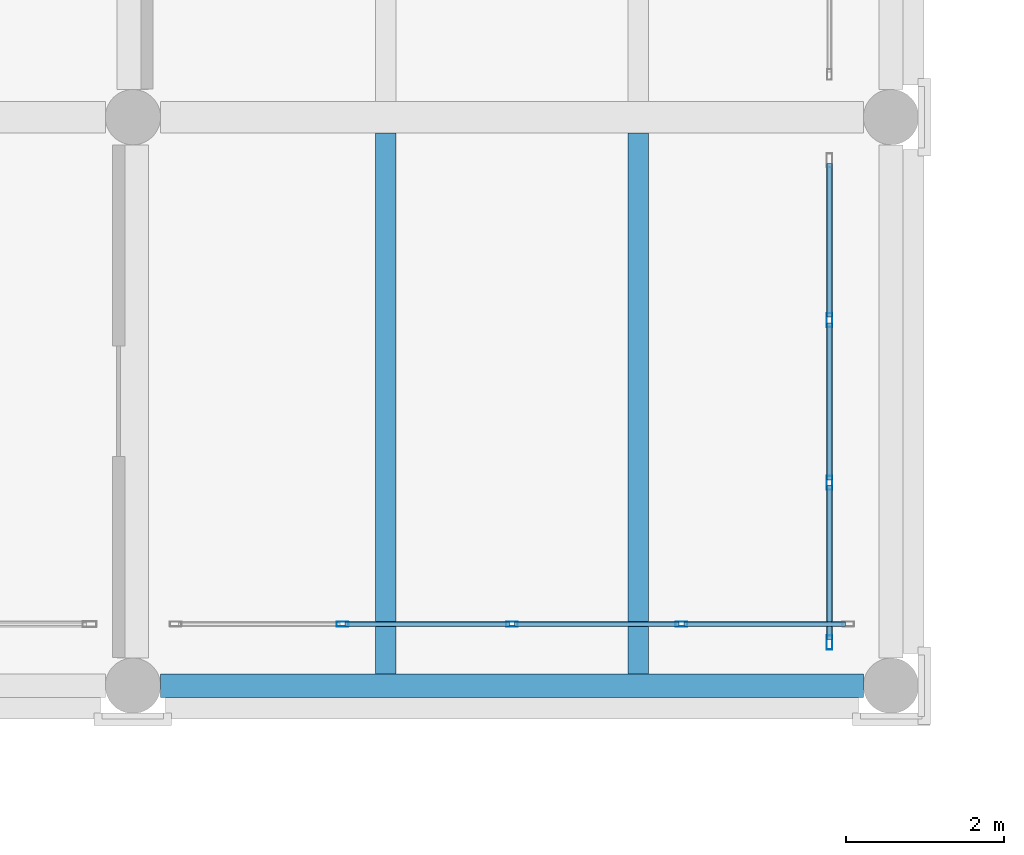
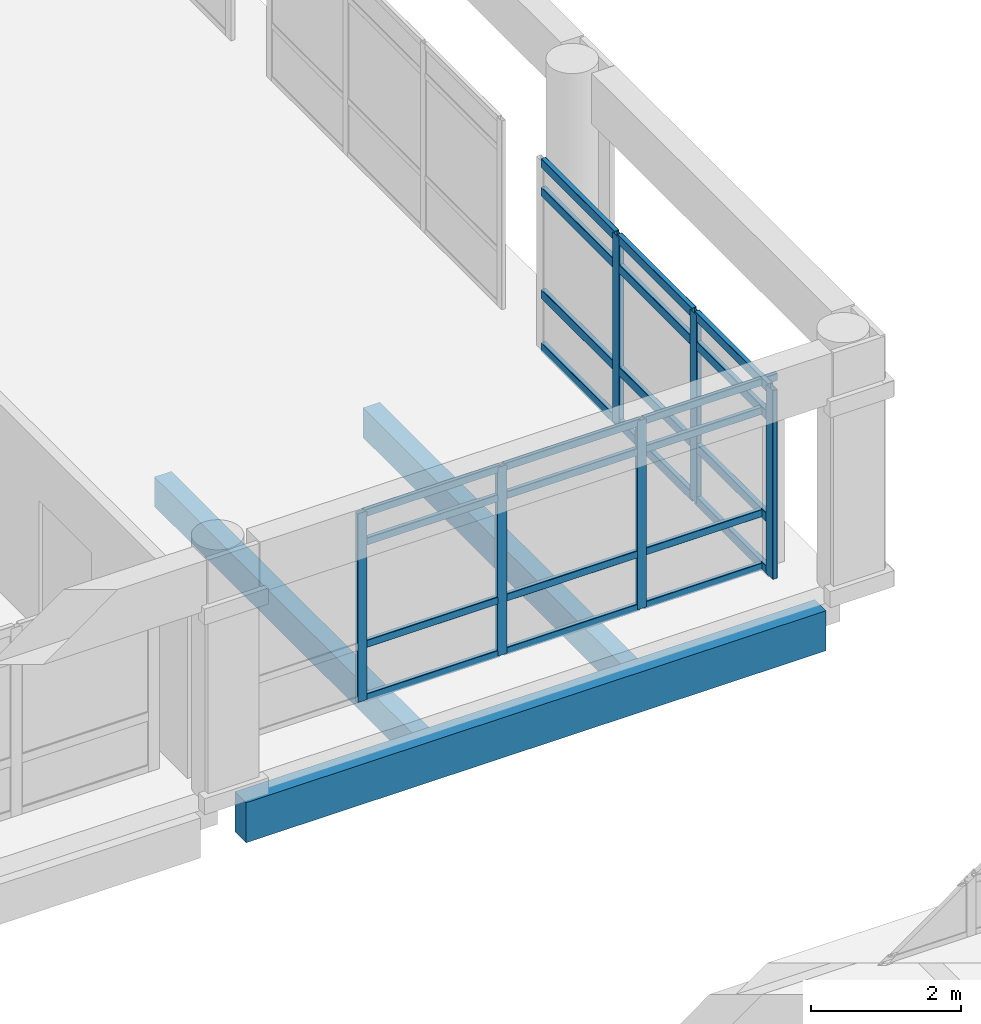
# One storey, part 46 of 180: 30 members, 3 beams, 2 elements without a shape of their own.
"""IFC4 building model written with IfcOpenShell, lengths in metres."""

from ifc_helpers import new_model, si_unit, direction, frame, origin, origin_2d, place, context, subcontext, project, spatial, rectangle, hollow_rectangle, extrude, material, layer, layer_set, material_profile, profile_set, type_object, element, aggregate, save


model = new_model("IFC4")

# Units and contexts
model_context = context("Model", 3, precision=1e-05, world=origin(), true_north=direction((0.0, 1.0)))
body_context = subcontext(model_context, "Body", "Model", "MODEL_VIEW")
ifc_project = project(units=[si_unit("LENGTHUNIT", "METRE"), si_unit("AREAUNIT", "SQUARE_METRE"), si_unit("VOLUMEUNIT", "CUBIC_METRE"), si_unit("PLANEANGLEUNIT", "RADIAN"), si_unit("MASSUNIT", "GRAM", prefix="KILO")], contexts=[model_context])

# Site, building, storey
site_placement = place(None, origin())
site = spatial("IfcSite", under=ifc_project, at=site_placement, CompositionType="ELEMENT")
building_placement = place(site_placement, origin())
building = spatial("IfcBuilding", under=site, at=building_placement, Name="Asteropetra Specialist Clinic", CompositionType="ELEMENT")
storey_placement = place(building_placement, frame((0.0, 0.0, 4.419921875)))
storey = spatial("IfcBuildingStorey", under=building, at=storey_placement, Name="L01", CompositionType="ELEMENT", Elevation=4.419921875)

# Curtain wall, members
ifc_material_1 = material(Name="Aluminium and low-E glass", Category="aluminium")
ifc_layer = layer(ifc_material_1, 0.14990234375)
ifc_layer_set = layer_set([ifc_layer], Name="Aluminium and low-E glass")
curtain_wall_type = type_object("IfcCurtainWallType", Name="CW-SYS-11", PredefinedType="USERDEFINED", material=ifc_layer_set)
curtain_wall_1_placement = place(storey_placement, origin())
curtain_wall_1 = element("IfcCurtainWall", 1, at=curtain_wall_1_placement, inside=storey, type_object=curtain_wall_type, Name="Curtain Wall CW-157", ObjectType="STICK GLAZED COLONNADE", PredefinedType="USERDEFINED")
ifc_material_2 = material(Name="Aluminium 6063-T6", Category="aluminium")
ifc_material_profile_1 = material_profile(ifc_material_2, hollow_rectangle(XDim=0.06494140625, YDim=0.14990234375, WallThickness=0.00390625, InnerFilletRadius=0.00390625, OuterFilletRadius=0.008056640625, at=origin_2d()), Name="MUL 150x65x4.0")
ifc_profile_set_1 = profile_set([ifc_material_profile_1], Name="Aluminium 6063-T6")
member_type_1 = type_object("IfcMemberType", Name="CWM-150x65", PredefinedType="MULLION", material=ifc_profile_set_1)
member_1_placement = place(storey_placement, frame((41.054931640625, 34.3798828125, 0.0), z_axis=(0.0, 0.0, 1.0), x_axis=(0.0, 1.0, 0.0)))
member_1 = element("IfcMember", 2, at=member_1_placement, type_object=member_type_1, Name="CW-157 mullion 2", PredefinedType="MULLION", context=body_context, shape_type="SweptSolid", body=[
    extrude(hollow_rectangle(XDim=0.06494140625, YDim=0.14990234375, WallThickness=0.00390625, InnerFilletRadius=0.00390625, OuterFilletRadius=0.008056640625, at=origin_2d()), origin(), (0.0, 0.0, 1.0), 3.06005859375),
])
member_2_placement = place(storey_placement, frame((43.199951171875, 34.3798828125, 0.0), z_axis=(0.0, 0.0, 1.0), x_axis=(0.0, 1.0, 0.0)))
member_2 = element("IfcMember", 3, at=member_2_placement, type_object=member_type_1, Name="CW-157 mullion 3", PredefinedType="MULLION", context=body_context, shape_type="SweptSolid", body=[
    extrude(hollow_rectangle(XDim=0.06494140625, YDim=0.14990234375, WallThickness=0.00390625, InnerFilletRadius=0.00390625, OuterFilletRadius=0.008056640625, at=origin_2d()), origin(), (0.0, 0.0, 1.0), 3.06005859375),
])
member_3_placement = place(storey_placement, frame((45.344970703125, 34.3798828125, 0.0), z_axis=(0.0, 0.0, 1.0), x_axis=(0.0, 1.0, 0.0)))
member_3 = element("IfcMember", 4, at=member_3_placement, type_object=member_type_1, Name="CW-157 mullion 4", PredefinedType="MULLION", context=body_context, shape_type="SweptSolid", body=[
    extrude(hollow_rectangle(XDim=0.06494140625, YDim=0.14990234375, WallThickness=0.00390625, InnerFilletRadius=0.00390625, OuterFilletRadius=0.008056640625, at=origin_2d()), origin(), (0.0, 0.0, 1.0), 3.06005859375),
])

curtain_wall_2_placement = place(storey_placement, origin())
curtain_wall_2 = element("IfcCurtainWall", 5, at=curtain_wall_2_placement, inside=storey, type_object=curtain_wall_type, Name="Curtain Wall CW-159", ObjectType="STICK GLAZED COLONNADE", PredefinedType="USERDEFINED")
ifc_material_3 = material(Name="Aluminium 6063-T6", Category="aluminium")
ifc_material_profile_2 = material_profile(ifc_material_3, hollow_rectangle(XDim=0.074951171875, YDim=0.179931640625, WallThickness=0.00390625, InnerFilletRadius=0.00390625, OuterFilletRadius=0.008056640625, at=origin_2d()), Name="MUL 180x75x4.0")
ifc_profile_set_2 = profile_set([ifc_material_profile_2], Name="Aluminium 6063-T6")
member_type_2 = type_object("IfcMemberType", Name="CWM-180x75", PredefinedType="MULLION", material=ifc_profile_set_2)
member_4_placement = place(storey_placement, frame((47.219970703125, 34.1474609375, 0.0), z_axis=(0.0, 0.0, 1.0), x_axis=(-1.0, 0.0, 0.0)))
member_4 = element("IfcMember", 6, at=member_4_placement, type_object=member_type_2, Name="CW-159 mullion 1", PredefinedType="MULLION", context=body_context, shape_type="SweptSolid", body=[
    extrude(hollow_rectangle(XDim=0.074951171875, YDim=0.179931640625, WallThickness=0.00390625, InnerFilletRadius=0.00390625, OuterFilletRadius=0.008056640625, at=origin_2d()), origin(), (0.0, 0.0, 1.0), 3.06005859375),
])
member_5_placement = place(storey_placement, frame((47.219970703125, 36.169921875, 0.0), z_axis=(0.0, 0.0, 1.0), x_axis=(-1.0, 0.0, 0.0)))
member_5 = element("IfcMember", 7, at=member_5_placement, type_object=member_type_2, Name="CW-159 mullion 2", PredefinedType="MULLION", context=body_context, shape_type="SweptSolid", body=[
    extrude(hollow_rectangle(XDim=0.074951171875, YDim=0.179931640625, WallThickness=0.00390625, InnerFilletRadius=0.00390625, OuterFilletRadius=0.008056640625, at=origin_2d()), origin(), (0.0, 0.0, 1.0), 3.06005859375),
])
member_6_placement = place(storey_placement, frame((47.219970703125, 38.22998046875, 0.0), z_axis=(0.0, 0.0, 1.0), x_axis=(-1.0, 0.0, 0.0)))
member_6 = element("IfcMember", 8, at=member_6_placement, type_object=member_type_2, Name="CW-159 mullion 3", PredefinedType="MULLION", context=body_context, shape_type="SweptSolid", body=[
    extrude(hollow_rectangle(XDim=0.074951171875, YDim=0.179931640625, WallThickness=0.00390625, InnerFilletRadius=0.00390625, OuterFilletRadius=0.008056640625, at=origin_2d()), origin(), (0.0, 0.0, 1.0), 3.06005859375),
])

# Member
ifc_material_4 = material(Name="Aluminium 6063-T6", Category="aluminium")
ifc_material_profile_3 = material_profile(ifc_material_4, hollow_rectangle(XDim=0.06494140625, YDim=0.1201171875, WallThickness=0.00390625, InnerFilletRadius=0.00390625, OuterFilletRadius=0.008056640625, at=origin_2d()), Name="TRN 120x65x4.0")
ifc_profile_set_3 = profile_set([ifc_material_profile_3], Name="Aluminium 6063-T6")
member_type_3 = type_object("IfcMemberType", Name="CWT-120x65", PredefinedType="USERDEFINED", material=ifc_profile_set_3)
member_7_placement = place(storey_placement, frame((41.08740234375, 34.3798828125, 0.032470703125), z_axis=(1.0, 0.0, 0.0), x_axis=(0.0, 1.0, 0.0)))
member_7 = element("IfcMember", 9, at=member_7_placement, type_object=member_type_3, Name="CW-157 transom 2.1", ObjectType="TRANSOM", PredefinedType="USERDEFINED", context=body_context, shape_type="SweptSolid", body=[
    extrude(hollow_rectangle(XDim=0.06494140625, YDim=0.1201171875, WallThickness=0.00390625, InnerFilletRadius=0.00390625, OuterFilletRadius=0.008056640625, at=origin_2d()), origin(), (0.0, 0.0, 1.0), 2.080078125),
])

member_8_placement = place(storey_placement, frame((41.08740234375, 34.3798828125, 0.900146484375), z_axis=(1.0, 0.0, 0.0), x_axis=(0.0, 1.0, 0.0)))
member_8 = element("IfcMember", 10, at=member_8_placement, type_object=member_type_3, Name="CW-157 transom 2.2", ObjectType="TRANSOM", PredefinedType="USERDEFINED", context=body_context, shape_type="SweptSolid", body=[
    extrude(hollow_rectangle(XDim=0.06494140625, YDim=0.1201171875, WallThickness=0.00390625, InnerFilletRadius=0.00390625, OuterFilletRadius=0.008056640625, at=origin_2d()), origin(), (0.0, 0.0, 1.0), 2.080078125),
])

member_9_placement = place(storey_placement, frame((41.08740234375, 34.3798828125, 2.56005859375), z_axis=(1.0, 0.0, 0.0), x_axis=(0.0, 1.0, 0.0)))
member_9 = element("IfcMember", 11, at=member_9_placement, type_object=member_type_3, Name="CW-157 transom 2.3", ObjectType="TRANSOM", PredefinedType="USERDEFINED", context=body_context, shape_type="SweptSolid", body=[
    extrude(hollow_rectangle(XDim=0.06494140625, YDim=0.1201171875, WallThickness=0.00390625, InnerFilletRadius=0.00390625, OuterFilletRadius=0.008056640625, at=origin_2d()), origin(), (0.0, 0.0, 1.0), 2.080078125),
])

member_10_placement = place(storey_placement, frame((41.08740234375, 34.3798828125, 3.027587890625), z_axis=(1.0, 0.0, 0.0), x_axis=(0.0, 1.0, 0.0)))
member_10 = element("IfcMember", 12, at=member_10_placement, type_object=member_type_3, Name="CW-157 transom 2.4", ObjectType="TRANSOM", PredefinedType="USERDEFINED", context=body_context, shape_type="SweptSolid", body=[
    extrude(hollow_rectangle(XDim=0.06494140625, YDim=0.1201171875, WallThickness=0.00390625, InnerFilletRadius=0.00390625, OuterFilletRadius=0.008056640625, at=origin_2d()), origin(), (0.0, 0.0, 1.0), 2.080078125),
])

member_11_placement = place(storey_placement, frame((43.232421875, 34.3798828125, 0.032470703125), z_axis=(1.0, 0.0, 0.0), x_axis=(0.0, 1.0, 0.0)))
member_11 = element("IfcMember", 13, at=member_11_placement, type_object=member_type_3, Name="CW-157 transom 3.1", ObjectType="TRANSOM", PredefinedType="USERDEFINED", context=body_context, shape_type="SweptSolid", body=[
    extrude(hollow_rectangle(XDim=0.06494140625, YDim=0.1201171875, WallThickness=0.00390625, InnerFilletRadius=0.00390625, OuterFilletRadius=0.008056640625, at=origin_2d()), origin(), (0.0, 0.0, 1.0), 2.080078125),
])

member_12_placement = place(storey_placement, frame((43.232421875, 34.3798828125, 0.900146484375), z_axis=(1.0, 0.0, 0.0), x_axis=(0.0, 1.0, 0.0)))
member_12 = element("IfcMember", 14, at=member_12_placement, type_object=member_type_3, Name="CW-157 transom 3.2", ObjectType="TRANSOM", PredefinedType="USERDEFINED", context=body_context, shape_type="SweptSolid", body=[
    extrude(hollow_rectangle(XDim=0.06494140625, YDim=0.1201171875, WallThickness=0.00390625, InnerFilletRadius=0.00390625, OuterFilletRadius=0.008056640625, at=origin_2d()), origin(), (0.0, 0.0, 1.0), 2.080078125),
])

member_13_placement = place(storey_placement, frame((43.232421875, 34.3798828125, 2.56005859375), z_axis=(1.0, 0.0, 0.0), x_axis=(0.0, 1.0, 0.0)))
member_13 = element("IfcMember", 15, at=member_13_placement, type_object=member_type_3, Name="CW-157 transom 3.3", ObjectType="TRANSOM", PredefinedType="USERDEFINED", context=body_context, shape_type="SweptSolid", body=[
    extrude(hollow_rectangle(XDim=0.06494140625, YDim=0.1201171875, WallThickness=0.00390625, InnerFilletRadius=0.00390625, OuterFilletRadius=0.008056640625, at=origin_2d()), origin(), (0.0, 0.0, 1.0), 2.080078125),
])

member_14_placement = place(storey_placement, frame((43.232421875, 34.3798828125, 3.027587890625), z_axis=(1.0, 0.0, 0.0), x_axis=(0.0, 1.0, 0.0)))
member_14 = element("IfcMember", 16, at=member_14_placement, type_object=member_type_3, Name="CW-157 transom 3.4", ObjectType="TRANSOM", PredefinedType="USERDEFINED", context=body_context, shape_type="SweptSolid", body=[
    extrude(hollow_rectangle(XDim=0.06494140625, YDim=0.1201171875, WallThickness=0.00390625, InnerFilletRadius=0.00390625, OuterFilletRadius=0.008056640625, at=origin_2d()), origin(), (0.0, 0.0, 1.0), 2.080078125),
])

member_15_placement = place(storey_placement, frame((45.37744140625, 34.3798828125, 0.032470703125), z_axis=(1.0, 0.0, 0.0), x_axis=(0.0, 1.0, 0.0)))
member_15 = element("IfcMember", 17, at=member_15_placement, type_object=member_type_3, Name="CW-157 transom 4.1", ObjectType="TRANSOM", PredefinedType="USERDEFINED", context=body_context, shape_type="SweptSolid", body=[
    extrude(hollow_rectangle(XDim=0.06494140625, YDim=0.1201171875, WallThickness=0.00390625, InnerFilletRadius=0.00390625, OuterFilletRadius=0.008056640625, at=origin_2d()), origin(), (0.0, 0.0, 1.0), 2.047607421875),
])

member_16_placement = place(storey_placement, frame((45.37744140625, 34.3798828125, 0.900146484375), z_axis=(1.0, 0.0, 0.0), x_axis=(0.0, 1.0, 0.0)))
member_16 = element("IfcMember", 18, at=member_16_placement, type_object=member_type_3, Name="CW-157 transom 4.2", ObjectType="TRANSOM", PredefinedType="USERDEFINED", context=body_context, shape_type="SweptSolid", body=[
    extrude(hollow_rectangle(XDim=0.06494140625, YDim=0.1201171875, WallThickness=0.00390625, InnerFilletRadius=0.00390625, OuterFilletRadius=0.008056640625, at=origin_2d()), origin(), (0.0, 0.0, 1.0), 2.047607421875),
])

member_17_placement = place(storey_placement, frame((45.37744140625, 34.3798828125, 2.56005859375), z_axis=(1.0, 0.0, 0.0), x_axis=(0.0, 1.0, 0.0)))
member_17 = element("IfcMember", 19, at=member_17_placement, type_object=member_type_3, Name="CW-157 transom 4.3", ObjectType="TRANSOM", PredefinedType="USERDEFINED", context=body_context, shape_type="SweptSolid", body=[
    extrude(hollow_rectangle(XDim=0.06494140625, YDim=0.1201171875, WallThickness=0.00390625, InnerFilletRadius=0.00390625, OuterFilletRadius=0.008056640625, at=origin_2d()), origin(), (0.0, 0.0, 1.0), 2.047607421875),
])

member_18_placement = place(storey_placement, frame((45.37744140625, 34.3798828125, 3.027587890625), z_axis=(1.0, 0.0, 0.0), x_axis=(0.0, 1.0, 0.0)))
member_18 = element("IfcMember", 20, at=member_18_placement, type_object=member_type_3, Name="CW-157 transom 4.4", ObjectType="TRANSOM", PredefinedType="USERDEFINED", context=body_context, shape_type="SweptSolid", body=[
    extrude(hollow_rectangle(XDim=0.06494140625, YDim=0.1201171875, WallThickness=0.00390625, InnerFilletRadius=0.00390625, OuterFilletRadius=0.008056640625, at=origin_2d()), origin(), (0.0, 0.0, 1.0), 2.047607421875),
])

aggregate(curtain_wall_1, [member_1, member_2, member_3, member_7, member_8, member_9, member_10, member_11, member_12, member_13, member_14, member_15, member_16, member_17, member_18])

ifc_material_5 = material(Name="Aluminium 6063-T6", Category="aluminium")
ifc_material_profile_4 = material_profile(ifc_material_5, hollow_rectangle(XDim=0.074951171875, YDim=0.14990234375, WallThickness=0.00390625, InnerFilletRadius=0.00390625, OuterFilletRadius=0.008056640625, at=origin_2d()), Name="TRN 150x75x4.0")
ifc_profile_set_4 = profile_set([ifc_material_profile_4], Name="Aluminium 6063-T6")
member_type_4 = type_object("IfcMemberType", Name="CWT-150x75", PredefinedType="USERDEFINED", material=ifc_profile_set_4)
member_19_placement = place(storey_placement, frame((47.219970703125, 34.18505859375, 0.03759765625), z_axis=(0.0, 1.0, 0.0), x_axis=(-1.0, 0.0, 0.0)))
member_19 = element("IfcMember", 21, at=member_19_placement, type_object=member_type_4, Name="CW-159 transom 1.1", ObjectType="TRANSOM", PredefinedType="USERDEFINED", context=body_context, shape_type="SweptSolid", body=[
    extrude(hollow_rectangle(XDim=0.074951171875, YDim=0.14990234375, WallThickness=0.00390625, InnerFilletRadius=0.00390625, OuterFilletRadius=0.008056640625, at=origin_2d()), origin(), (0.0, 0.0, 1.0), 1.947509765625),
])

member_20_placement = place(storey_placement, frame((47.219970703125, 34.18505859375, 0.900146484375), z_axis=(0.0, 1.0, 0.0), x_axis=(-1.0, 0.0, 0.0)))
member_20 = element("IfcMember", 22, at=member_20_placement, type_object=member_type_4, Name="CW-159 transom 1.2", ObjectType="TRANSOM", PredefinedType="USERDEFINED", context=body_context, shape_type="SweptSolid", body=[
    extrude(hollow_rectangle(XDim=0.074951171875, YDim=0.14990234375, WallThickness=0.00390625, InnerFilletRadius=0.00390625, OuterFilletRadius=0.008056640625, at=origin_2d()), origin(), (0.0, 0.0, 1.0), 1.947509765625),
])

member_21_placement = place(storey_placement, frame((47.219970703125, 34.18505859375, 2.56005859375), z_axis=(0.0, 1.0, 0.0), x_axis=(-1.0, 0.0, 0.0)))
member_21 = element("IfcMember", 23, at=member_21_placement, type_object=member_type_4, Name="CW-159 transom 1.3", ObjectType="TRANSOM", PredefinedType="USERDEFINED", context=body_context, shape_type="SweptSolid", body=[
    extrude(hollow_rectangle(XDim=0.074951171875, YDim=0.14990234375, WallThickness=0.00390625, InnerFilletRadius=0.00390625, OuterFilletRadius=0.008056640625, at=origin_2d()), origin(), (0.0, 0.0, 1.0), 1.947509765625),
])

member_22_placement = place(storey_placement, frame((47.219970703125, 34.18505859375, 3.0224609375), z_axis=(0.0, 1.0, 0.0), x_axis=(-1.0, 0.0, 0.0)))
member_22 = element("IfcMember", 24, at=member_22_placement, type_object=member_type_4, Name="CW-159 transom 1.4", ObjectType="TRANSOM", PredefinedType="USERDEFINED", context=body_context, shape_type="SweptSolid", body=[
    extrude(hollow_rectangle(XDim=0.074951171875, YDim=0.14990234375, WallThickness=0.00390625, InnerFilletRadius=0.00390625, OuterFilletRadius=0.008056640625, at=origin_2d()), origin(), (0.0, 0.0, 1.0), 1.947509765625),
])

member_23_placement = place(storey_placement, frame((47.219970703125, 36.20751953125, 0.03759765625), z_axis=(0.0, 1.0, 0.0), x_axis=(-1.0, 0.0, 0.0)))
member_23 = element("IfcMember", 25, at=member_23_placement, type_object=member_type_4, Name="CW-159 transom 2.1", ObjectType="TRANSOM", PredefinedType="USERDEFINED", context=body_context, shape_type="SweptSolid", body=[
    extrude(hollow_rectangle(XDim=0.074951171875, YDim=0.14990234375, WallThickness=0.00390625, InnerFilletRadius=0.00390625, OuterFilletRadius=0.008056640625, at=origin_2d()), origin(), (0.0, 0.0, 1.0), 1.98486328125),
])

member_24_placement = place(storey_placement, frame((47.219970703125, 36.20751953125, 0.900146484375), z_axis=(0.0, 1.0, 0.0), x_axis=(-1.0, 0.0, 0.0)))
member_24 = element("IfcMember", 26, at=member_24_placement, type_object=member_type_4, Name="CW-159 transom 2.2", ObjectType="TRANSOM", PredefinedType="USERDEFINED", context=body_context, shape_type="SweptSolid", body=[
    extrude(hollow_rectangle(XDim=0.074951171875, YDim=0.14990234375, WallThickness=0.00390625, InnerFilletRadius=0.00390625, OuterFilletRadius=0.008056640625, at=origin_2d()), origin(), (0.0, 0.0, 1.0), 1.98486328125),
])

member_25_placement = place(storey_placement, frame((47.219970703125, 36.20751953125, 2.56005859375), z_axis=(0.0, 1.0, 0.0), x_axis=(-1.0, 0.0, 0.0)))
member_25 = element("IfcMember", 27, at=member_25_placement, type_object=member_type_4, Name="CW-159 transom 2.3", ObjectType="TRANSOM", PredefinedType="USERDEFINED", context=body_context, shape_type="SweptSolid", body=[
    extrude(hollow_rectangle(XDim=0.074951171875, YDim=0.14990234375, WallThickness=0.00390625, InnerFilletRadius=0.00390625, OuterFilletRadius=0.008056640625, at=origin_2d()), origin(), (0.0, 0.0, 1.0), 1.98486328125),
])

member_26_placement = place(storey_placement, frame((47.219970703125, 36.20751953125, 3.0224609375), z_axis=(0.0, 1.0, 0.0), x_axis=(-1.0, 0.0, 0.0)))
member_26 = element("IfcMember", 28, at=member_26_placement, type_object=member_type_4, Name="CW-159 transom 2.4", ObjectType="TRANSOM", PredefinedType="USERDEFINED", context=body_context, shape_type="SweptSolid", body=[
    extrude(hollow_rectangle(XDim=0.074951171875, YDim=0.14990234375, WallThickness=0.00390625, InnerFilletRadius=0.00390625, OuterFilletRadius=0.008056640625, at=origin_2d()), origin(), (0.0, 0.0, 1.0), 1.98486328125),
])

member_27_placement = place(storey_placement, frame((47.219970703125, 38.267578125, 0.03759765625), z_axis=(0.0, 1.0, 0.0), x_axis=(-1.0, 0.0, 0.0)))
member_27 = element("IfcMember", 29, at=member_27_placement, type_object=member_type_4, Name="CW-159 transom 3.1", ObjectType="TRANSOM", PredefinedType="USERDEFINED", context=body_context, shape_type="SweptSolid", body=[
    extrude(hollow_rectangle(XDim=0.074951171875, YDim=0.14990234375, WallThickness=0.00390625, InnerFilletRadius=0.00390625, OuterFilletRadius=0.008056640625, at=origin_2d()), origin(), (0.0, 0.0, 1.0), 1.947509765625),
])

member_28_placement = place(storey_placement, frame((47.219970703125, 38.267578125, 0.900146484375), z_axis=(0.0, 1.0, 0.0), x_axis=(-1.0, 0.0, 0.0)))
member_28 = element("IfcMember", 30, at=member_28_placement, type_object=member_type_4, Name="CW-159 transom 3.2", ObjectType="TRANSOM", PredefinedType="USERDEFINED", context=body_context, shape_type="SweptSolid", body=[
    extrude(hollow_rectangle(XDim=0.074951171875, YDim=0.14990234375, WallThickness=0.00390625, InnerFilletRadius=0.00390625, OuterFilletRadius=0.008056640625, at=origin_2d()), origin(), (0.0, 0.0, 1.0), 1.947509765625),
])

member_29_placement = place(storey_placement, frame((47.219970703125, 38.267578125, 2.56005859375), z_axis=(0.0, 1.0, 0.0), x_axis=(-1.0, 0.0, 0.0)))
member_29 = element("IfcMember", 31, at=member_29_placement, type_object=member_type_4, Name="CW-159 transom 3.3", ObjectType="TRANSOM", PredefinedType="USERDEFINED", context=body_context, shape_type="SweptSolid", body=[
    extrude(hollow_rectangle(XDim=0.074951171875, YDim=0.14990234375, WallThickness=0.00390625, InnerFilletRadius=0.00390625, OuterFilletRadius=0.008056640625, at=origin_2d()), origin(), (0.0, 0.0, 1.0), 1.947509765625),
])

member_30_placement = place(storey_placement, frame((47.219970703125, 38.267578125, 3.0224609375), z_axis=(0.0, 1.0, 0.0), x_axis=(-1.0, 0.0, 0.0)))
member_30 = element("IfcMember", 32, at=member_30_placement, type_object=member_type_4, Name="CW-159 transom 3.4", ObjectType="TRANSOM", PredefinedType="USERDEFINED", context=body_context, shape_type="SweptSolid", body=[
    extrude(hollow_rectangle(XDim=0.074951171875, YDim=0.14990234375, WallThickness=0.00390625, InnerFilletRadius=0.00390625, OuterFilletRadius=0.008056640625, at=origin_2d()), origin(), (0.0, 0.0, 1.0), 1.947509765625),
])

aggregate(curtain_wall_2, [member_4, member_5, member_6, member_19, member_20, member_21, member_22, member_23, member_24, member_25, member_26, member_27, member_28, member_29, member_30])

# Beams
ifc_material_6 = material(Name="Concrete C35/45", Category="concrete")
ifc_material_profile_5 = material_profile(ifc_material_6, rectangle(XDim=0.260009765625, YDim=0.47998046875, at=origin_2d()), Name="RCJ 260x480")
ifc_profile_set_5 = profile_set([ifc_material_profile_5], Name="Concrete C35/45")
beam_type_1 = type_object("IfcBeamType", Name="JST-RC260x480", PredefinedType="JOIST", material=ifc_profile_set_5)
for number, where, z_axis, x_axis, name in (
    (33, (41.60009765625, 33.75, -0.5400390625), (0.0, 1.0, 0.0), (-1.0, 0.0, 0.0), "Joist JJST02-0346"),
    (34, (44.800048828125, 33.75, -0.5400390625), (0.0, 1.0, 0.0), (-1.0, 0.0, 0.0), "Joist JJST02-0347"),
):
    element("IfcBeam", number, at=place(storey_placement, frame(where, z_axis=z_axis, x_axis=x_axis)), inside=storey, type_object=beam_type_1, Name=name, PredefinedType="JOIST", context=body_context, shape_type="SweptSolid", body=[
        extrude(rectangle(XDim=0.260009765625, YDim=0.47998046875, at=origin_2d()), origin(), (0.0, 0.0, 1.0), 6.85009765625),
    ])
ifc_material_7 = material(Name="Concrete C35/45", Category="concrete")
ifc_material_profile_6 = material_profile(ifc_material_7, rectangle(XDim=0.300048828125, YDim=0.64990234375, at=origin_2d()), Name="RCS 300x650")
ifc_profile_set_6 = profile_set([ifc_material_profile_6], Name="Concrete C35/45")
beam_type_2 = type_object("IfcBeamType", Name="SPN-RC300x650", PredefinedType="SPANDREL", material=ifc_profile_set_6)
beam_placement = place(storey_placement, frame((38.75, 33.60009765625, -0.625), z_axis=(1.0, 0.0, 0.0), x_axis=(0.0, 1.0, 0.0)))
element("IfcBeam", 35, at=beam_placement, inside=storey, type_object=beam_type_2, Name="Beam BSPN03-0313", PredefinedType="SPANDREL", context=body_context, shape_type="SweptSolid", body=[
    extrude(rectangle(XDim=0.300048828125, YDim=0.64990234375, at=origin_2d()), origin(), (0.0, 0.0, 1.0), 8.89990234375),
])

save(model, "model.ifc")
